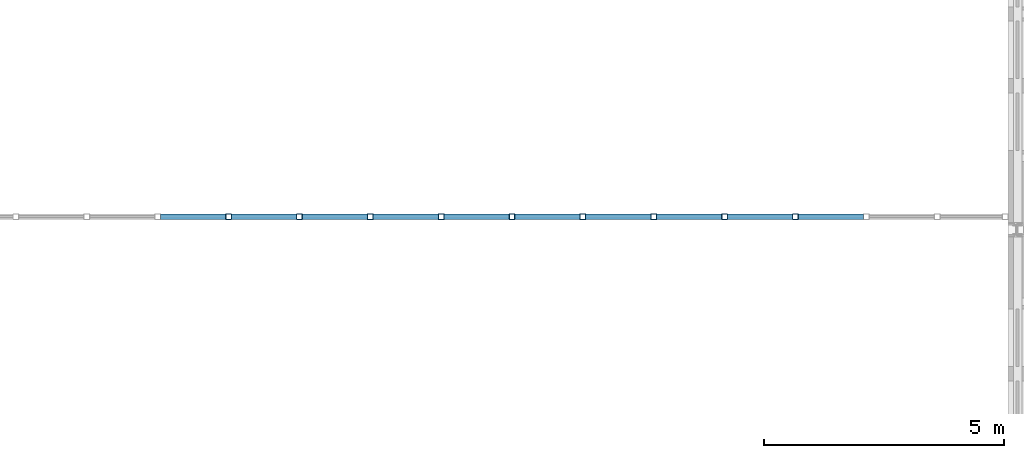
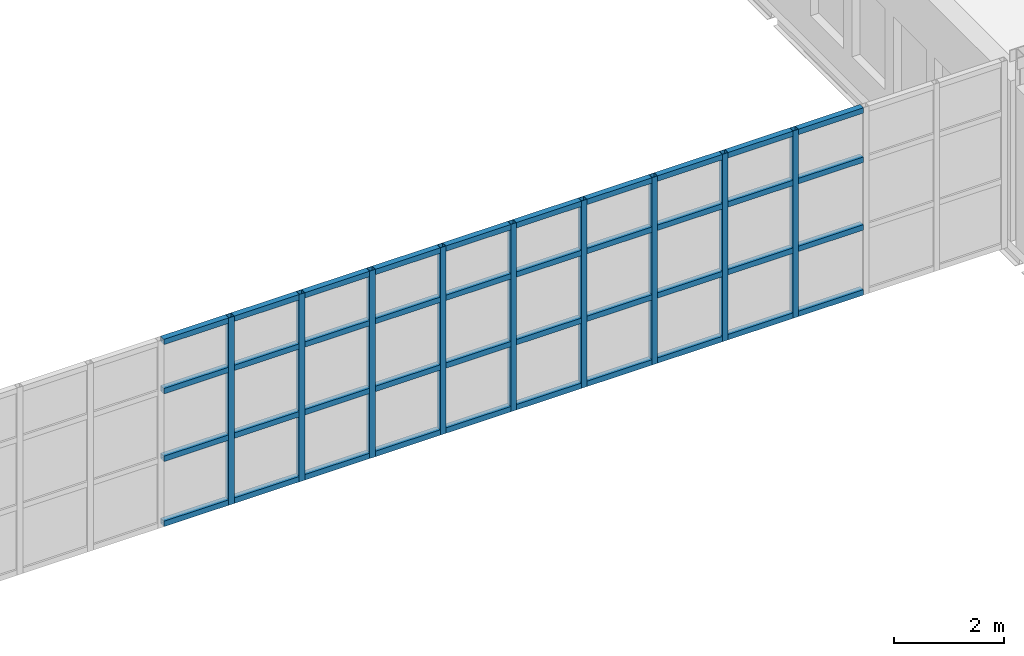
# One storey, part 25 of 154: 49 members, 1 element without a shape of its own.
"""IFC4 building model written with IfcOpenShell, lengths in metres."""

from ifc_helpers import new_model, si_unit, direction, frame, origin, origin_2d, place, context, subcontext, project, spatial, hollow_rectangle, extrude, material, material_profile, profile_set, type_object, element, aggregate, save


model = new_model("IFC4")

# Units and contexts
model_context = context("Model", 3, precision=1e-05, world=origin(), true_north=direction((0.0, 1.0)))
body_context = subcontext(model_context, "Body", "Model", "MODEL_VIEW")
ifc_project = project(units=[si_unit("LENGTHUNIT", "METRE"), si_unit("AREAUNIT", "SQUARE_METRE"), si_unit("VOLUMEUNIT", "CUBIC_METRE"), si_unit("PLANEANGLEUNIT", "RADIAN"), si_unit("MASSUNIT", "GRAM", prefix="KILO")], contexts=[model_context])

# Site, building, storey
site_placement = place(None, origin())
site = spatial("IfcSite", under=ifc_project, at=site_placement, CompositionType="ELEMENT")
building_placement = place(site_placement, origin())
building = spatial("IfcBuilding", under=site, at=building_placement, Name="Golden Quay Civic Hall", CompositionType="ELEMENT")
storey_placement = place(building_placement, frame((0.0, 0.0, 14.39990234375)))
storey = spatial("IfcBuildingStorey", under=building, at=storey_placement, Name="L03", CompositionType="ELEMENT", Elevation=14.39990234375)

# Curtain wall, members
ifc_material_1 = material(Name="Fire-resisting glass and steel", Category="steel")
curtain_wall_type = type_object("IfcCurtainWallType", Name="Fire-resisting glazed curtain wall EI 120", PredefinedType="NOTDEFINED", material=ifc_material_1)
curtain_wall_placement = place(storey_placement, origin())
curtain_wall = element("IfcCurtainWall", 1, at=curtain_wall_placement, inside=storey, type_object=curtain_wall_type, Name="CW3 curtain wall", PredefinedType="NOTDEFINED")
ifc_material_2 = material(Name="Steel S355", Category="steel")
ifc_material_profile_1 = material_profile(ifc_material_2, hollow_rectangle(XDim=0.1201171875, YDim=0.1201171875, WallThickness=0.008056640625, at=origin_2d()), Name="SHS 120x120x8")
ifc_profile_set_1 = profile_set([ifc_material_profile_1], Name="Steel S355")
member_type_1 = type_object("IfcMemberType", Name="Fire-resisting steel mullion SHS 120x120x8", PredefinedType="MULLION", material=ifc_profile_set_1)
member_1_placement = place(storey_placement, frame((82.54443359375, 18.27001953125, -0.199951171875), z_axis=(0.0, 0.0, 1.0), x_axis=(0.0, 1.0, 0.0)))
member_1 = element("IfcMember", 2, at=member_1_placement, type_object=member_type_1, Name="CW3 mullion 8", PredefinedType="MULLION", context=body_context, shape_type="SweptSolid", body=[
    extrude(hollow_rectangle(XDim=0.1201171875, YDim=0.1201171875, WallThickness=0.008056640625, at=origin_2d()), origin(), (0.0, 0.0, 1.0), 4.150146484375),
])
member_2_placement = place(storey_placement, frame((84.022216796875, 18.27001953125, -0.199951171875), z_axis=(0.0, 0.0, 1.0), x_axis=(0.0, 1.0, 0.0)))
member_2 = element("IfcMember", 3, at=member_2_placement, type_object=member_type_1, Name="CW3 mullion 9", PredefinedType="MULLION", context=body_context, shape_type="SweptSolid", body=[
    extrude(hollow_rectangle(XDim=0.1201171875, YDim=0.1201171875, WallThickness=0.008056640625, at=origin_2d()), origin(), (0.0, 0.0, 1.0), 4.150146484375),
])
member_3_placement = place(storey_placement, frame((85.5, 18.27001953125, -0.199951171875), z_axis=(0.0, 0.0, 1.0), x_axis=(0.0, 1.0, 0.0)))
member_3 = element("IfcMember", 4, at=member_3_placement, type_object=member_type_1, Name="CW3 mullion 10", PredefinedType="MULLION", context=body_context, shape_type="SweptSolid", body=[
    extrude(hollow_rectangle(XDim=0.1201171875, YDim=0.1201171875, WallThickness=0.008056640625, at=origin_2d()), origin(), (0.0, 0.0, 1.0), 4.150146484375),
])
member_4_placement = place(storey_placement, frame((86.977783203125, 18.27001953125, -0.199951171875), z_axis=(0.0, 0.0, 1.0), x_axis=(0.0, 1.0, 0.0)))
member_4 = element("IfcMember", 5, at=member_4_placement, type_object=member_type_1, Name="CW3 mullion 11", PredefinedType="MULLION", context=body_context, shape_type="SweptSolid", body=[
    extrude(hollow_rectangle(XDim=0.1201171875, YDim=0.1201171875, WallThickness=0.008056640625, at=origin_2d()), origin(), (0.0, 0.0, 1.0), 4.150146484375),
])
member_5_placement = place(storey_placement, frame((88.45556640625, 18.27001953125, -0.199951171875), z_axis=(0.0, 0.0, 1.0), x_axis=(0.0, 1.0, 0.0)))
member_5 = element("IfcMember", 6, at=member_5_placement, type_object=member_type_1, Name="CW3 mullion 12", PredefinedType="MULLION", context=body_context, shape_type="SweptSolid", body=[
    extrude(hollow_rectangle(XDim=0.1201171875, YDim=0.1201171875, WallThickness=0.008056640625, at=origin_2d()), origin(), (0.0, 0.0, 1.0), 4.150146484375),
])
member_6_placement = place(storey_placement, frame((89.933349609375, 18.27001953125, -0.199951171875), z_axis=(0.0, 0.0, 1.0), x_axis=(0.0, 1.0, 0.0)))
member_6 = element("IfcMember", 7, at=member_6_placement, type_object=member_type_1, Name="CW3 mullion 13", PredefinedType="MULLION", context=body_context, shape_type="SweptSolid", body=[
    extrude(hollow_rectangle(XDim=0.1201171875, YDim=0.1201171875, WallThickness=0.008056640625, at=origin_2d()), origin(), (0.0, 0.0, 1.0), 4.150146484375),
])
member_7_placement = place(storey_placement, frame((91.4111328125, 18.27001953125, -0.199951171875), z_axis=(0.0, 0.0, 1.0), x_axis=(0.0, 1.0, 0.0)))
member_7 = element("IfcMember", 8, at=member_7_placement, type_object=member_type_1, Name="CW3 mullion 14", PredefinedType="MULLION", context=body_context, shape_type="SweptSolid", body=[
    extrude(hollow_rectangle(XDim=0.1201171875, YDim=0.1201171875, WallThickness=0.008056640625, at=origin_2d()), origin(), (0.0, 0.0, 1.0), 4.150146484375),
])
member_8_placement = place(storey_placement, frame((92.888916015625, 18.27001953125, -0.199951171875), z_axis=(0.0, 0.0, 1.0), x_axis=(0.0, 1.0, 0.0)))
member_8 = element("IfcMember", 9, at=member_8_placement, type_object=member_type_1, Name="CW3 mullion 15", PredefinedType="MULLION", context=body_context, shape_type="SweptSolid", body=[
    extrude(hollow_rectangle(XDim=0.1201171875, YDim=0.1201171875, WallThickness=0.008056640625, at=origin_2d()), origin(), (0.0, 0.0, 1.0), 4.150146484375),
])
member_9_placement = place(storey_placement, frame((94.36669921875, 18.27001953125, -0.199951171875), z_axis=(0.0, 0.0, 1.0), x_axis=(0.0, 1.0, 0.0)))
member_9 = element("IfcMember", 10, at=member_9_placement, type_object=member_type_1, Name="CW3 mullion 16", PredefinedType="MULLION", context=body_context, shape_type="SweptSolid", body=[
    extrude(hollow_rectangle(XDim=0.1201171875, YDim=0.1201171875, WallThickness=0.008056640625, at=origin_2d()), origin(), (0.0, 0.0, 1.0), 4.150146484375),
])
ifc_material_3 = material(Name="Steel S355", Category="steel")
ifc_material_profile_2 = material_profile(ifc_material_3, hollow_rectangle(XDim=0.1201171875, YDim=0.1201171875, WallThickness=0.008056640625, at=origin_2d()), Name="SHS 120x120x8")
ifc_profile_set_2 = profile_set([ifc_material_profile_2], Name="Steel S355")
member_type_2 = type_object("IfcMemberType", Name="Fire-resisting steel transom SHS 120x120x8", PredefinedType="USERDEFINED", material=ifc_profile_set_2)
member_10_placement = place(storey_placement, frame((81.126708984375, 18.27001953125, -0.139892578125), z_axis=(1.0, 0.0, 0.0), x_axis=(0.0, 1.0, 0.0)))
member_10 = element("IfcMember", 11, at=member_10_placement, type_object=member_type_2, Name="CW3 transom 7.1", ObjectType="TRANSOM", PredefinedType="USERDEFINED", context=body_context, shape_type="SweptSolid", body=[
    extrude(hollow_rectangle(XDim=0.1201171875, YDim=0.1201171875, WallThickness=0.008056640625, at=origin_2d()), origin(), (0.0, 0.0, 1.0), 1.357666015625),
])
member_11_placement = place(storey_placement, frame((81.126708984375, 18.27001953125, 1.300048828125), z_axis=(1.0, 0.0, 0.0), x_axis=(0.0, 1.0, 0.0)))
member_11 = element("IfcMember", 12, at=member_11_placement, type_object=member_type_2, Name="CW3 transom 7.2", ObjectType="TRANSOM", PredefinedType="USERDEFINED", context=body_context, shape_type="SweptSolid", body=[
    extrude(hollow_rectangle(XDim=0.1201171875, YDim=0.1201171875, WallThickness=0.008056640625, at=origin_2d()), origin(), (0.0, 0.0, 1.0), 1.357666015625),
])
member_12_placement = place(storey_placement, frame((81.126708984375, 18.27001953125, 2.800048828125), z_axis=(1.0, 0.0, 0.0), x_axis=(0.0, 1.0, 0.0)))
member_12 = element("IfcMember", 13, at=member_12_placement, type_object=member_type_2, Name="CW3 transom 7.3", ObjectType="TRANSOM", PredefinedType="USERDEFINED", context=body_context, shape_type="SweptSolid", body=[
    extrude(hollow_rectangle(XDim=0.1201171875, YDim=0.1201171875, WallThickness=0.008056640625, at=origin_2d()), origin(), (0.0, 0.0, 1.0), 1.357666015625),
])
member_13_placement = place(storey_placement, frame((81.126708984375, 18.27001953125, 3.89013671875), z_axis=(1.0, 0.0, 0.0), x_axis=(0.0, 1.0, 0.0)))
member_13 = element("IfcMember", 14, at=member_13_placement, type_object=member_type_2, Name="CW3 transom 7.4", ObjectType="TRANSOM", PredefinedType="USERDEFINED", context=body_context, shape_type="SweptSolid", body=[
    extrude(hollow_rectangle(XDim=0.1201171875, YDim=0.1201171875, WallThickness=0.008056640625, at=origin_2d()), origin(), (0.0, 0.0, 1.0), 1.357666015625),
])
member_14_placement = place(storey_placement, frame((82.6044921875, 18.27001953125, -0.139892578125), z_axis=(1.0, 0.0, 0.0), x_axis=(0.0, 1.0, 0.0)))
member_14 = element("IfcMember", 15, at=member_14_placement, type_object=member_type_2, Name="CW3 transom 8.1", ObjectType="TRANSOM", PredefinedType="USERDEFINED", context=body_context, shape_type="SweptSolid", body=[
    extrude(hollow_rectangle(XDim=0.1201171875, YDim=0.1201171875, WallThickness=0.008056640625, at=origin_2d()), origin(), (0.0, 0.0, 1.0), 1.357666015625),
])
member_15_placement = place(storey_placement, frame((82.6044921875, 18.27001953125, 1.300048828125), z_axis=(1.0, 0.0, 0.0), x_axis=(0.0, 1.0, 0.0)))
member_15 = element("IfcMember", 16, at=member_15_placement, type_object=member_type_2, Name="CW3 transom 8.2", ObjectType="TRANSOM", PredefinedType="USERDEFINED", context=body_context, shape_type="SweptSolid", body=[
    extrude(hollow_rectangle(XDim=0.1201171875, YDim=0.1201171875, WallThickness=0.008056640625, at=origin_2d()), origin(), (0.0, 0.0, 1.0), 1.357666015625),
])
member_16_placement = place(storey_placement, frame((82.6044921875, 18.27001953125, 2.800048828125), z_axis=(1.0, 0.0, 0.0), x_axis=(0.0, 1.0, 0.0)))
member_16 = element("IfcMember", 17, at=member_16_placement, type_object=member_type_2, Name="CW3 transom 8.3", ObjectType="TRANSOM", PredefinedType="USERDEFINED", context=body_context, shape_type="SweptSolid", body=[
    extrude(hollow_rectangle(XDim=0.1201171875, YDim=0.1201171875, WallThickness=0.008056640625, at=origin_2d()), origin(), (0.0, 0.0, 1.0), 1.357666015625),
])
member_17_placement = place(storey_placement, frame((82.6044921875, 18.27001953125, 3.89013671875), z_axis=(1.0, 0.0, 0.0), x_axis=(0.0, 1.0, 0.0)))
member_17 = element("IfcMember", 18, at=member_17_placement, type_object=member_type_2, Name="CW3 transom 8.4", ObjectType="TRANSOM", PredefinedType="USERDEFINED", context=body_context, shape_type="SweptSolid", body=[
    extrude(hollow_rectangle(XDim=0.1201171875, YDim=0.1201171875, WallThickness=0.008056640625, at=origin_2d()), origin(), (0.0, 0.0, 1.0), 1.357666015625),
])
member_18_placement = place(storey_placement, frame((84.082275390625, 18.27001953125, -0.139892578125), z_axis=(1.0, 0.0, 0.0), x_axis=(0.0, 1.0, 0.0)))
member_18 = element("IfcMember", 19, at=member_18_placement, type_object=member_type_2, Name="CW3 transom 9.1", ObjectType="TRANSOM", PredefinedType="USERDEFINED", context=body_context, shape_type="SweptSolid", body=[
    extrude(hollow_rectangle(XDim=0.1201171875, YDim=0.1201171875, WallThickness=0.008056640625, at=origin_2d()), origin(), (0.0, 0.0, 1.0), 1.357666015625),
])
member_19_placement = place(storey_placement, frame((84.082275390625, 18.27001953125, 1.300048828125), z_axis=(1.0, 0.0, 0.0), x_axis=(0.0, 1.0, 0.0)))
member_19 = element("IfcMember", 20, at=member_19_placement, type_object=member_type_2, Name="CW3 transom 9.2", ObjectType="TRANSOM", PredefinedType="USERDEFINED", context=body_context, shape_type="SweptSolid", body=[
    extrude(hollow_rectangle(XDim=0.1201171875, YDim=0.1201171875, WallThickness=0.008056640625, at=origin_2d()), origin(), (0.0, 0.0, 1.0), 1.357666015625),
])
member_20_placement = place(storey_placement, frame((84.082275390625, 18.27001953125, 2.800048828125), z_axis=(1.0, 0.0, 0.0), x_axis=(0.0, 1.0, 0.0)))
member_20 = element("IfcMember", 21, at=member_20_placement, type_object=member_type_2, Name="CW3 transom 9.3", ObjectType="TRANSOM", PredefinedType="USERDEFINED", context=body_context, shape_type="SweptSolid", body=[
    extrude(hollow_rectangle(XDim=0.1201171875, YDim=0.1201171875, WallThickness=0.008056640625, at=origin_2d()), origin(), (0.0, 0.0, 1.0), 1.357666015625),
])
member_21_placement = place(storey_placement, frame((84.082275390625, 18.27001953125, 3.89013671875), z_axis=(1.0, 0.0, 0.0), x_axis=(0.0, 1.0, 0.0)))
member_21 = element("IfcMember", 22, at=member_21_placement, type_object=member_type_2, Name="CW3 transom 9.4", ObjectType="TRANSOM", PredefinedType="USERDEFINED", context=body_context, shape_type="SweptSolid", body=[
    extrude(hollow_rectangle(XDim=0.1201171875, YDim=0.1201171875, WallThickness=0.008056640625, at=origin_2d()), origin(), (0.0, 0.0, 1.0), 1.357666015625),
])
member_22_placement = place(storey_placement, frame((85.56005859375, 18.27001953125, -0.139892578125), z_axis=(1.0, 0.0, 0.0), x_axis=(0.0, 1.0, 0.0)))
member_22 = element("IfcMember", 23, at=member_22_placement, type_object=member_type_2, Name="CW3 transom 10.1", ObjectType="TRANSOM", PredefinedType="USERDEFINED", context=body_context, shape_type="SweptSolid", body=[
    extrude(hollow_rectangle(XDim=0.1201171875, YDim=0.1201171875, WallThickness=0.008056640625, at=origin_2d()), origin(), (0.0, 0.0, 1.0), 1.357666015625),
])
member_23_placement = place(storey_placement, frame((85.56005859375, 18.27001953125, 1.300048828125), z_axis=(1.0, 0.0, 0.0), x_axis=(0.0, 1.0, 0.0)))
member_23 = element("IfcMember", 24, at=member_23_placement, type_object=member_type_2, Name="CW3 transom 10.2", ObjectType="TRANSOM", PredefinedType="USERDEFINED", context=body_context, shape_type="SweptSolid", body=[
    extrude(hollow_rectangle(XDim=0.1201171875, YDim=0.1201171875, WallThickness=0.008056640625, at=origin_2d()), origin(), (0.0, 0.0, 1.0), 1.357666015625),
])
member_24_placement = place(storey_placement, frame((85.56005859375, 18.27001953125, 2.800048828125), z_axis=(1.0, 0.0, 0.0), x_axis=(0.0, 1.0, 0.0)))
member_24 = element("IfcMember", 25, at=member_24_placement, type_object=member_type_2, Name="CW3 transom 10.3", ObjectType="TRANSOM", PredefinedType="USERDEFINED", context=body_context, shape_type="SweptSolid", body=[
    extrude(hollow_rectangle(XDim=0.1201171875, YDim=0.1201171875, WallThickness=0.008056640625, at=origin_2d()), origin(), (0.0, 0.0, 1.0), 1.357666015625),
])
member_25_placement = place(storey_placement, frame((85.56005859375, 18.27001953125, 3.89013671875), z_axis=(1.0, 0.0, 0.0), x_axis=(0.0, 1.0, 0.0)))
member_25 = element("IfcMember", 26, at=member_25_placement, type_object=member_type_2, Name="CW3 transom 10.4", ObjectType="TRANSOM", PredefinedType="USERDEFINED", context=body_context, shape_type="SweptSolid", body=[
    extrude(hollow_rectangle(XDim=0.1201171875, YDim=0.1201171875, WallThickness=0.008056640625, at=origin_2d()), origin(), (0.0, 0.0, 1.0), 1.357666015625),
])
member_26_placement = place(storey_placement, frame((87.037841796875, 18.27001953125, -0.139892578125), z_axis=(1.0, 0.0, 0.0), x_axis=(0.0, 1.0, 0.0)))
member_26 = element("IfcMember", 27, at=member_26_placement, type_object=member_type_2, Name="CW3 transom 11.1", ObjectType="TRANSOM", PredefinedType="USERDEFINED", context=body_context, shape_type="SweptSolid", body=[
    extrude(hollow_rectangle(XDim=0.1201171875, YDim=0.1201171875, WallThickness=0.008056640625, at=origin_2d()), origin(), (0.0, 0.0, 1.0), 1.357666015625),
])
member_27_placement = place(storey_placement, frame((87.037841796875, 18.27001953125, 1.300048828125), z_axis=(1.0, 0.0, 0.0), x_axis=(0.0, 1.0, 0.0)))
member_27 = element("IfcMember", 28, at=member_27_placement, type_object=member_type_2, Name="CW3 transom 11.2", ObjectType="TRANSOM", PredefinedType="USERDEFINED", context=body_context, shape_type="SweptSolid", body=[
    extrude(hollow_rectangle(XDim=0.1201171875, YDim=0.1201171875, WallThickness=0.008056640625, at=origin_2d()), origin(), (0.0, 0.0, 1.0), 1.357666015625),
])
member_28_placement = place(storey_placement, frame((87.037841796875, 18.27001953125, 2.800048828125), z_axis=(1.0, 0.0, 0.0), x_axis=(0.0, 1.0, 0.0)))
member_28 = element("IfcMember", 29, at=member_28_placement, type_object=member_type_2, Name="CW3 transom 11.3", ObjectType="TRANSOM", PredefinedType="USERDEFINED", context=body_context, shape_type="SweptSolid", body=[
    extrude(hollow_rectangle(XDim=0.1201171875, YDim=0.1201171875, WallThickness=0.008056640625, at=origin_2d()), origin(), (0.0, 0.0, 1.0), 1.357666015625),
])
member_29_placement = place(storey_placement, frame((87.037841796875, 18.27001953125, 3.89013671875), z_axis=(1.0, 0.0, 0.0), x_axis=(0.0, 1.0, 0.0)))
member_29 = element("IfcMember", 30, at=member_29_placement, type_object=member_type_2, Name="CW3 transom 11.4", ObjectType="TRANSOM", PredefinedType="USERDEFINED", context=body_context, shape_type="SweptSolid", body=[
    extrude(hollow_rectangle(XDim=0.1201171875, YDim=0.1201171875, WallThickness=0.008056640625, at=origin_2d()), origin(), (0.0, 0.0, 1.0), 1.357666015625),
])
member_30_placement = place(storey_placement, frame((88.515625, 18.27001953125, -0.139892578125), z_axis=(1.0, 0.0, 0.0), x_axis=(0.0, 1.0, 0.0)))
member_30 = element("IfcMember", 31, at=member_30_placement, type_object=member_type_2, Name="CW3 transom 12.1", ObjectType="TRANSOM", PredefinedType="USERDEFINED", context=body_context, shape_type="SweptSolid", body=[
    extrude(hollow_rectangle(XDim=0.1201171875, YDim=0.1201171875, WallThickness=0.008056640625, at=origin_2d()), origin(), (0.0, 0.0, 1.0), 1.357666015625),
])
member_31_placement = place(storey_placement, frame((88.515625, 18.27001953125, 1.300048828125), z_axis=(1.0, 0.0, 0.0), x_axis=(0.0, 1.0, 0.0)))
member_31 = element("IfcMember", 32, at=member_31_placement, type_object=member_type_2, Name="CW3 transom 12.2", ObjectType="TRANSOM", PredefinedType="USERDEFINED", context=body_context, shape_type="SweptSolid", body=[
    extrude(hollow_rectangle(XDim=0.1201171875, YDim=0.1201171875, WallThickness=0.008056640625, at=origin_2d()), origin(), (0.0, 0.0, 1.0), 1.357666015625),
])
member_32_placement = place(storey_placement, frame((88.515625, 18.27001953125, 2.800048828125), z_axis=(1.0, 0.0, 0.0), x_axis=(0.0, 1.0, 0.0)))
member_32 = element("IfcMember", 33, at=member_32_placement, type_object=member_type_2, Name="CW3 transom 12.3", ObjectType="TRANSOM", PredefinedType="USERDEFINED", context=body_context, shape_type="SweptSolid", body=[
    extrude(hollow_rectangle(XDim=0.1201171875, YDim=0.1201171875, WallThickness=0.008056640625, at=origin_2d()), origin(), (0.0, 0.0, 1.0), 1.357666015625),
])
member_33_placement = place(storey_placement, frame((88.515625, 18.27001953125, 3.89013671875), z_axis=(1.0, 0.0, 0.0), x_axis=(0.0, 1.0, 0.0)))
member_33 = element("IfcMember", 34, at=member_33_placement, type_object=member_type_2, Name="CW3 transom 12.4", ObjectType="TRANSOM", PredefinedType="USERDEFINED", context=body_context, shape_type="SweptSolid", body=[
    extrude(hollow_rectangle(XDim=0.1201171875, YDim=0.1201171875, WallThickness=0.008056640625, at=origin_2d()), origin(), (0.0, 0.0, 1.0), 1.357666015625),
])
member_34_placement = place(storey_placement, frame((89.993408203125, 18.27001953125, -0.139892578125), z_axis=(1.0, 0.0, 0.0), x_axis=(0.0, 1.0, 0.0)))
member_34 = element("IfcMember", 35, at=member_34_placement, type_object=member_type_2, Name="CW3 transom 13.1", ObjectType="TRANSOM", PredefinedType="USERDEFINED", context=body_context, shape_type="SweptSolid", body=[
    extrude(hollow_rectangle(XDim=0.1201171875, YDim=0.1201171875, WallThickness=0.008056640625, at=origin_2d()), origin(), (0.0, 0.0, 1.0), 1.357666015625),
])
member_35_placement = place(storey_placement, frame((89.993408203125, 18.27001953125, 1.300048828125), z_axis=(1.0, 0.0, 0.0), x_axis=(0.0, 1.0, 0.0)))
member_35 = element("IfcMember", 36, at=member_35_placement, type_object=member_type_2, Name="CW3 transom 13.2", ObjectType="TRANSOM", PredefinedType="USERDEFINED", context=body_context, shape_type="SweptSolid", body=[
    extrude(hollow_rectangle(XDim=0.1201171875, YDim=0.1201171875, WallThickness=0.008056640625, at=origin_2d()), origin(), (0.0, 0.0, 1.0), 1.357666015625),
])
member_36_placement = place(storey_placement, frame((89.993408203125, 18.27001953125, 2.800048828125), z_axis=(1.0, 0.0, 0.0), x_axis=(0.0, 1.0, 0.0)))
member_36 = element("IfcMember", 37, at=member_36_placement, type_object=member_type_2, Name="CW3 transom 13.3", ObjectType="TRANSOM", PredefinedType="USERDEFINED", context=body_context, shape_type="SweptSolid", body=[
    extrude(hollow_rectangle(XDim=0.1201171875, YDim=0.1201171875, WallThickness=0.008056640625, at=origin_2d()), origin(), (0.0, 0.0, 1.0), 1.357666015625),
])
member_37_placement = place(storey_placement, frame((89.993408203125, 18.27001953125, 3.89013671875), z_axis=(1.0, 0.0, 0.0), x_axis=(0.0, 1.0, 0.0)))
member_37 = element("IfcMember", 38, at=member_37_placement, type_object=member_type_2, Name="CW3 transom 13.4", ObjectType="TRANSOM", PredefinedType="USERDEFINED", context=body_context, shape_type="SweptSolid", body=[
    extrude(hollow_rectangle(XDim=0.1201171875, YDim=0.1201171875, WallThickness=0.008056640625, at=origin_2d()), origin(), (0.0, 0.0, 1.0), 1.357666015625),
])
member_38_placement = place(storey_placement, frame((91.47119140625, 18.27001953125, -0.139892578125), z_axis=(1.0, 0.0, 0.0), x_axis=(0.0, 1.0, 0.0)))
member_38 = element("IfcMember", 39, at=member_38_placement, type_object=member_type_2, Name="CW3 transom 14.1", ObjectType="TRANSOM", PredefinedType="USERDEFINED", context=body_context, shape_type="SweptSolid", body=[
    extrude(hollow_rectangle(XDim=0.1201171875, YDim=0.1201171875, WallThickness=0.008056640625, at=origin_2d()), origin(), (0.0, 0.0, 1.0), 1.357666015625),
])
member_39_placement = place(storey_placement, frame((91.47119140625, 18.27001953125, 1.300048828125), z_axis=(1.0, 0.0, 0.0), x_axis=(0.0, 1.0, 0.0)))
member_39 = element("IfcMember", 40, at=member_39_placement, type_object=member_type_2, Name="CW3 transom 14.2", ObjectType="TRANSOM", PredefinedType="USERDEFINED", context=body_context, shape_type="SweptSolid", body=[
    extrude(hollow_rectangle(XDim=0.1201171875, YDim=0.1201171875, WallThickness=0.008056640625, at=origin_2d()), origin(), (0.0, 0.0, 1.0), 1.357666015625),
])
member_40_placement = place(storey_placement, frame((91.47119140625, 18.27001953125, 2.800048828125), z_axis=(1.0, 0.0, 0.0), x_axis=(0.0, 1.0, 0.0)))
member_40 = element("IfcMember", 41, at=member_40_placement, type_object=member_type_2, Name="CW3 transom 14.3", ObjectType="TRANSOM", PredefinedType="USERDEFINED", context=body_context, shape_type="SweptSolid", body=[
    extrude(hollow_rectangle(XDim=0.1201171875, YDim=0.1201171875, WallThickness=0.008056640625, at=origin_2d()), origin(), (0.0, 0.0, 1.0), 1.357666015625),
])
member_41_placement = place(storey_placement, frame((91.47119140625, 18.27001953125, 3.89013671875), z_axis=(1.0, 0.0, 0.0), x_axis=(0.0, 1.0, 0.0)))
member_41 = element("IfcMember", 42, at=member_41_placement, type_object=member_type_2, Name="CW3 transom 14.4", ObjectType="TRANSOM", PredefinedType="USERDEFINED", context=body_context, shape_type="SweptSolid", body=[
    extrude(hollow_rectangle(XDim=0.1201171875, YDim=0.1201171875, WallThickness=0.008056640625, at=origin_2d()), origin(), (0.0, 0.0, 1.0), 1.357666015625),
])
member_42_placement = place(storey_placement, frame((92.948974609375, 18.27001953125, -0.139892578125), z_axis=(1.0, 0.0, 0.0), x_axis=(0.0, 1.0, 0.0)))
member_42 = element("IfcMember", 43, at=member_42_placement, type_object=member_type_2, Name="CW3 transom 15.1", ObjectType="TRANSOM", PredefinedType="USERDEFINED", context=body_context, shape_type="SweptSolid", body=[
    extrude(hollow_rectangle(XDim=0.1201171875, YDim=0.1201171875, WallThickness=0.008056640625, at=origin_2d()), origin(), (0.0, 0.0, 1.0), 1.357666015625),
])
member_43_placement = place(storey_placement, frame((92.948974609375, 18.27001953125, 1.300048828125), z_axis=(1.0, 0.0, 0.0), x_axis=(0.0, 1.0, 0.0)))
member_43 = element("IfcMember", 44, at=member_43_placement, type_object=member_type_2, Name="CW3 transom 15.2", ObjectType="TRANSOM", PredefinedType="USERDEFINED", context=body_context, shape_type="SweptSolid", body=[
    extrude(hollow_rectangle(XDim=0.1201171875, YDim=0.1201171875, WallThickness=0.008056640625, at=origin_2d()), origin(), (0.0, 0.0, 1.0), 1.357666015625),
])
member_44_placement = place(storey_placement, frame((92.948974609375, 18.27001953125, 2.800048828125), z_axis=(1.0, 0.0, 0.0), x_axis=(0.0, 1.0, 0.0)))
member_44 = element("IfcMember", 45, at=member_44_placement, type_object=member_type_2, Name="CW3 transom 15.3", ObjectType="TRANSOM", PredefinedType="USERDEFINED", context=body_context, shape_type="SweptSolid", body=[
    extrude(hollow_rectangle(XDim=0.1201171875, YDim=0.1201171875, WallThickness=0.008056640625, at=origin_2d()), origin(), (0.0, 0.0, 1.0), 1.357666015625),
])
member_45_placement = place(storey_placement, frame((92.948974609375, 18.27001953125, 3.89013671875), z_axis=(1.0, 0.0, 0.0), x_axis=(0.0, 1.0, 0.0)))
member_45 = element("IfcMember", 46, at=member_45_placement, type_object=member_type_2, Name="CW3 transom 15.4", ObjectType="TRANSOM", PredefinedType="USERDEFINED", context=body_context, shape_type="SweptSolid", body=[
    extrude(hollow_rectangle(XDim=0.1201171875, YDim=0.1201171875, WallThickness=0.008056640625, at=origin_2d()), origin(), (0.0, 0.0, 1.0), 1.357666015625),
])
member_46_placement = place(storey_placement, frame((94.4267578125, 18.27001953125, -0.139892578125), z_axis=(1.0, 0.0, 0.0), x_axis=(0.0, 1.0, 0.0)))
member_46 = element("IfcMember", 47, at=member_46_placement, type_object=member_type_2, Name="CW3 transom 16.1", ObjectType="TRANSOM", PredefinedType="USERDEFINED", context=body_context, shape_type="SweptSolid", body=[
    extrude(hollow_rectangle(XDim=0.1201171875, YDim=0.1201171875, WallThickness=0.008056640625, at=origin_2d()), origin(), (0.0, 0.0, 1.0), 1.357666015625),
])
member_47_placement = place(storey_placement, frame((94.4267578125, 18.27001953125, 1.300048828125), z_axis=(1.0, 0.0, 0.0), x_axis=(0.0, 1.0, 0.0)))
member_47 = element("IfcMember", 48, at=member_47_placement, type_object=member_type_2, Name="CW3 transom 16.2", ObjectType="TRANSOM", PredefinedType="USERDEFINED", context=body_context, shape_type="SweptSolid", body=[
    extrude(hollow_rectangle(XDim=0.1201171875, YDim=0.1201171875, WallThickness=0.008056640625, at=origin_2d()), origin(), (0.0, 0.0, 1.0), 1.357666015625),
])
member_48_placement = place(storey_placement, frame((94.4267578125, 18.27001953125, 2.800048828125), z_axis=(1.0, 0.0, 0.0), x_axis=(0.0, 1.0, 0.0)))
member_48 = element("IfcMember", 49, at=member_48_placement, type_object=member_type_2, Name="CW3 transom 16.3", ObjectType="TRANSOM", PredefinedType="USERDEFINED", context=body_context, shape_type="SweptSolid", body=[
    extrude(hollow_rectangle(XDim=0.1201171875, YDim=0.1201171875, WallThickness=0.008056640625, at=origin_2d()), origin(), (0.0, 0.0, 1.0), 1.357666015625),
])
member_49_placement = place(storey_placement, frame((94.4267578125, 18.27001953125, 3.89013671875), z_axis=(1.0, 0.0, 0.0), x_axis=(0.0, 1.0, 0.0)))
member_49 = element("IfcMember", 50, at=member_49_placement, type_object=member_type_2, Name="CW3 transom 16.4", ObjectType="TRANSOM", PredefinedType="USERDEFINED", context=body_context, shape_type="SweptSolid", body=[
    extrude(hollow_rectangle(XDim=0.1201171875, YDim=0.1201171875, WallThickness=0.008056640625, at=origin_2d()), origin(), (0.0, 0.0, 1.0), 1.357666015625),
])
aggregate(curtain_wall, [member_1, member_2, member_3, member_4, member_5, member_6, member_7, member_8, member_9, member_10, member_11, member_12, member_13, member_14, member_15, member_16, member_17, member_18, member_19, member_20, member_21, member_22, member_23, member_24, member_25, member_26, member_27, member_28, member_29, member_30, member_31, member_32, member_33, member_34, member_35, member_36, member_37, member_38, member_39, member_40, member_41, member_42, member_43, member_44, member_45, member_46, member_47, member_48, member_49])

save(model, "model.ifc")
